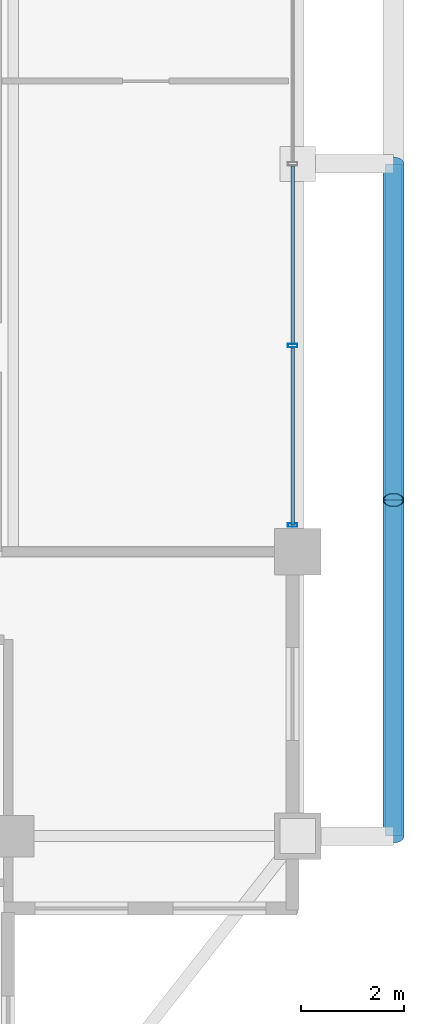
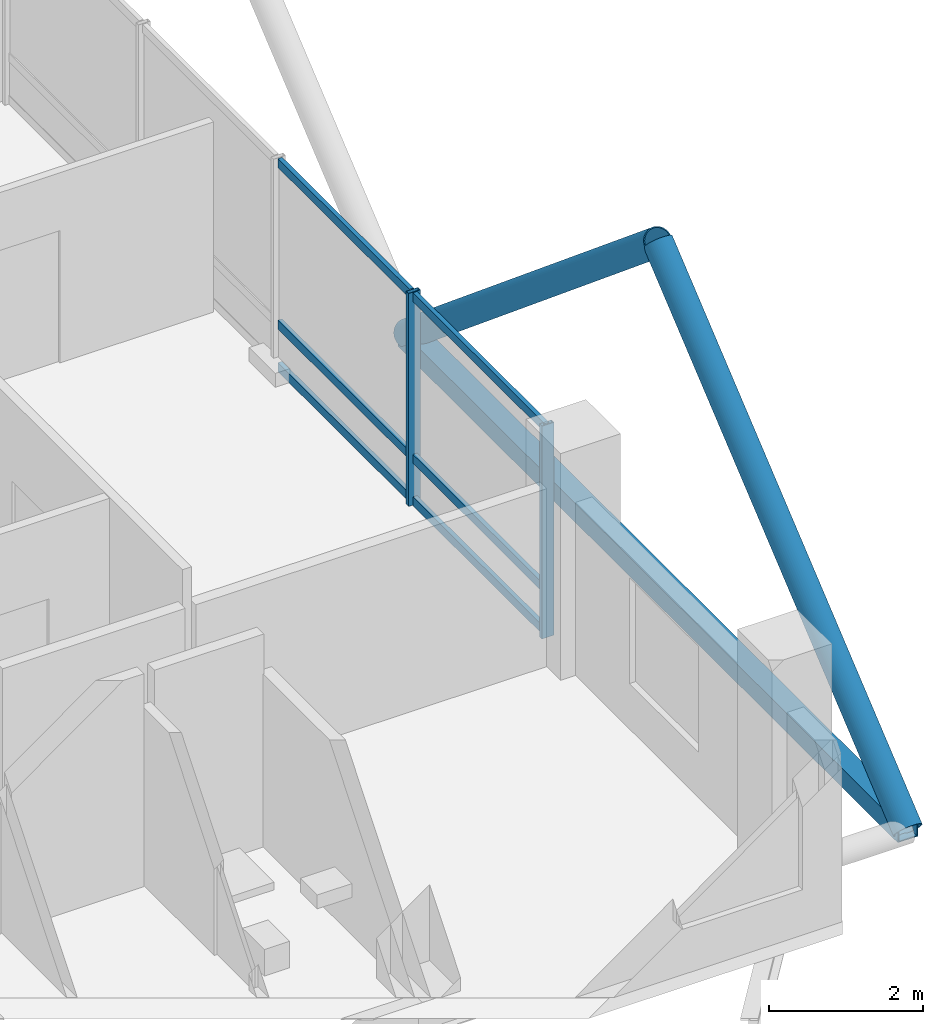
# One storey, part 12 of 24: 11 members, 1 element without a shape of its own.
"""IFC4 building model written with IfcOpenShell, lengths in metres."""

from ifc_helpers import new_model, si_unit, direction, frame, origin, origin_2d, place, context, subcontext, project, spatial, hollow_rectangle, hollow_circle, extrude, material, layer, layer_set, material_profile, profile_set, type_object, element, aggregate, save


model = new_model("IFC4")

# Units and contexts
model_context = context("Model", 3, precision=1e-05, world=origin(), true_north=direction((0.0, 1.0)))
body_context = subcontext(model_context, "Body", "Model", "MODEL_VIEW")
ifc_project = project(units=[si_unit("LENGTHUNIT", "METRE"), si_unit("AREAUNIT", "SQUARE_METRE"), si_unit("VOLUMEUNIT", "CUBIC_METRE"), si_unit("PLANEANGLEUNIT", "RADIAN"), si_unit("MASSUNIT", "GRAM", prefix="KILO")], contexts=[model_context])

# Site, building, storey
site_placement = place(None, origin())
site = spatial("IfcSite", under=ifc_project, at=site_placement, CompositionType="ELEMENT")
building_placement = place(site_placement, origin())
building = spatial("IfcBuilding", under=site, at=building_placement, Name="Barlavira Tower and Art Museum", CompositionType="ELEMENT")
storey_placement = place(building_placement, frame((0.0, 0.0, 240.300048828125)))
storey = spatial("IfcBuildingStorey", under=building, at=storey_placement, Name="L62", CompositionType="ELEMENT", Elevation=240.300048828125)

# Curtain wall, members
ifc_material_1 = material(Name="Low-iron coastal laminated glass", Category="glass")
ifc_layer = layer(ifc_material_1, 0.2099609375, Name="Low-iron coastal laminated glass")
ifc_layer_set = layer_set([ifc_layer], Name="Low-iron coastal laminated glass")
curtain_wall_type = type_object("IfcCurtainWallType", Name="Pale-Metal Unitised Curtain Wall Zone 4", PredefinedType="NOTDEFINED", material=ifc_layer_set)
curtain_wall_placement = place(storey_placement, origin())
curtain_wall = element("IfcCurtainWall", 1, at=curtain_wall_placement, inside=storey, type_object=curtain_wall_type, Name="L62 Curtain Wall CW4-L62-E-B3", PredefinedType="NOTDEFINED")
ifc_material_2 = material(Name="Pale anodised aluminium", Category="aluminium")
ifc_material_profile_1 = material_profile(ifc_material_2, hollow_rectangle(XDim=0.06494140625, YDim=0.179931640625, WallThickness=0.00390625, at=origin_2d()), Name="ALU-MULL 65x180x4")
ifc_profile_set_1 = profile_set([ifc_material_profile_1], Name="Pale anodised aluminium")
member_type_1 = type_object("IfcMemberType", Name="Curtain Wall Pale-Metal Mullion 65x180", PredefinedType="MULLION", material=ifc_profile_set_1)
member_1_placement = place(storey_placement, frame((16.89990234375, -6.985107421875, 0.0), z_axis=(0.0, 0.0, 1.0), x_axis=(0.0, 1.0, 0.0)))
member_1 = element("IfcMember", 2, at=member_1_placement, type_object=member_type_1, Name="CW4-L62-E-B3 Mullion 0", PredefinedType="MULLION", context=body_context, shape_type="SweptSolid", body=[
    extrude(hollow_rectangle(XDim=0.06494140625, YDim=0.179931640625, WallThickness=0.00390625, at=origin_2d()), origin(), (0.0, 0.0, 1.0), 3.3798828125),
])
member_2_placement = place(storey_placement, frame((16.89990234375, -3.514892578125, 0.0), z_axis=(0.0, 0.0, 1.0), x_axis=(0.0, 1.0, 0.0)))
member_2 = element("IfcMember", 3, at=member_2_placement, type_object=member_type_1, Name="CW4-L62-E-B3 Mullion 1", PredefinedType="MULLION", context=body_context, shape_type="SweptSolid", body=[
    extrude(hollow_rectangle(XDim=0.06494140625, YDim=0.179931640625, WallThickness=0.00390625, at=origin_2d()), origin(), (0.0, 0.0, 1.0), 3.3798828125),
])
ifc_material_profile_2 = material_profile(ifc_material_2, hollow_rectangle(XDim=0.06494140625, YDim=0.139892578125, WallThickness=0.00390625, at=origin_2d()), Name="ALU-TRAN 65x140x4")
ifc_profile_set_2 = profile_set([ifc_material_profile_2], Name="Pale anodised aluminium")
member_type_2 = type_object("IfcMemberType", Name="Curtain Wall Pale-Metal Transom 65x140", PredefinedType="USERDEFINED", material=ifc_profile_set_2)
member_3_placement = place(storey_placement, frame((16.89990234375, -6.985107421875, 0.070068359375), z_axis=(0.0, 1.0, 0.0), x_axis=(-1.0, 0.0, 0.0)))
member_3 = element("IfcMember", 4, at=member_3_placement, type_object=member_type_2, Name="CW4-L62-E-B3 Transom 0.1", ObjectType="TRANSOM", PredefinedType="USERDEFINED", context=body_context, shape_type="SweptSolid", body=[
    extrude(hollow_rectangle(XDim=0.06494140625, YDim=0.139892578125, WallThickness=0.00390625, at=origin_2d()), origin(), (0.0, 0.0, 1.0), 3.425048828125),
])
member_4_placement = place(storey_placement, frame((16.89990234375, -6.985107421875, 0.743896484375), z_axis=(0.0, 1.0, 0.0), x_axis=(-1.0, 0.0, 0.0)))
member_4 = element("IfcMember", 5, at=member_4_placement, type_object=member_type_2, Name="CW4-L62-E-B3 Transom 0.2", ObjectType="TRANSOM", PredefinedType="USERDEFINED", context=body_context, shape_type="SweptSolid", body=[
    extrude(hollow_rectangle(XDim=0.06494140625, YDim=0.139892578125, WallThickness=0.00390625, at=origin_2d()), origin(), (0.0, 0.0, 1.0), 3.425048828125),
])
member_5_placement = place(storey_placement, frame((16.89990234375, -6.985107421875, 3.31005859375), z_axis=(0.0, 1.0, 0.0), x_axis=(-1.0, 0.0, 0.0)))
member_5 = element("IfcMember", 6, at=member_5_placement, type_object=member_type_2, Name="CW4-L62-E-B3 Transom 0.3", ObjectType="TRANSOM", PredefinedType="USERDEFINED", context=body_context, shape_type="SweptSolid", body=[
    extrude(hollow_rectangle(XDim=0.06494140625, YDim=0.139892578125, WallThickness=0.00390625, at=origin_2d()), origin(), (0.0, 0.0, 1.0), 3.425048828125),
])
member_6_placement = place(storey_placement, frame((16.89990234375, -3.469970703125, 0.070068359375), z_axis=(0.0, 1.0, 0.0), x_axis=(-1.0, 0.0, 0.0)))
member_6 = element("IfcMember", 7, at=member_6_placement, type_object=member_type_2, Name="CW4-L62-E-B3 Transom 1.1", ObjectType="TRANSOM", PredefinedType="USERDEFINED", context=body_context, shape_type="SweptSolid", body=[
    extrude(hollow_rectangle(XDim=0.06494140625, YDim=0.139892578125, WallThickness=0.00390625, at=origin_2d()), origin(), (0.0, 0.0, 1.0), 3.425048828125),
])
member_7_placement = place(storey_placement, frame((16.89990234375, -3.469970703125, 0.743896484375), z_axis=(0.0, 1.0, 0.0), x_axis=(-1.0, 0.0, 0.0)))
member_7 = element("IfcMember", 8, at=member_7_placement, type_object=member_type_2, Name="CW4-L62-E-B3 Transom 1.2", ObjectType="TRANSOM", PredefinedType="USERDEFINED", context=body_context, shape_type="SweptSolid", body=[
    extrude(hollow_rectangle(XDim=0.06494140625, YDim=0.139892578125, WallThickness=0.00390625, at=origin_2d()), origin(), (0.0, 0.0, 1.0), 3.425048828125),
])
member_8_placement = place(storey_placement, frame((16.89990234375, -3.469970703125, 3.31005859375), z_axis=(0.0, 1.0, 0.0), x_axis=(-1.0, 0.0, 0.0)))
member_8 = element("IfcMember", 9, at=member_8_placement, type_object=member_type_2, Name="CW4-L62-E-B3 Transom 1.3", ObjectType="TRANSOM", PredefinedType="USERDEFINED", context=body_context, shape_type="SweptSolid", body=[
    extrude(hollow_rectangle(XDim=0.06494140625, YDim=0.139892578125, WallThickness=0.00390625, at=origin_2d()), origin(), (0.0, 0.0, 1.0), 3.425048828125),
])
aggregate(curtain_wall, [member_1, member_2, member_3, member_4, member_5, member_6, member_7, member_8])

# Members
ifc_material_3 = material(Name="Steel S355", Category="steel")
ifc_material_profile_3 = material_profile(ifc_material_3, hollow_circle(Radius=0.203125, WallThickness=0.01611328125, at=origin_2d()), Name="CHS 406.4x16.0")
ifc_profile_set_3 = profile_set([ifc_material_profile_3], Name="Steel S355")
member_type_3 = type_object("IfcMemberType", Name="Pale-Metal Exoskeleton Diagrid Tube CHS 406x16 Steel S355", PredefinedType="BRACE", material=ifc_profile_set_3)
for number, where, z_axis, x_axis, name in (
    (10, (18.85009765625, -13.0, -0.1201171875), (0.0, 0.76918185268, 0.639029950399), (-1.0, 0.0, 0.0), "L62 Exoskeleton Diagrid Tube E"),
    (11, (18.85009765625, 0.0, -0.1201171875), (0.0, -0.76918185268, 0.639029950399), (1.0, 0.0, 0.0), "L62 Exoskeleton Diagrid Tube E"),
):
    element("IfcMember", number, at=place(storey_placement, frame(where, z_axis=z_axis, x_axis=x_axis)), inside=storey, type_object=member_type_3, Name=name, PredefinedType="BRACE", context=body_context, shape_type="SweptSolid", body=[
        extrude(hollow_circle(Radius=0.203125, WallThickness=0.01611328125, at=origin_2d()), origin(), (0.0, 0.0, 1.0), 8.450439453125),
    ])
ifc_material_profile_4 = material_profile(ifc_material_3, hollow_rectangle(XDim=0.300048828125, YDim=0.300048828125, WallThickness=0.01611328125, at=origin_2d()), Name="SHS 300x300x16.0")
ifc_profile_set_4 = profile_set([ifc_material_profile_4], Name="Steel S355")
member_type_4 = type_object("IfcMemberType", Name="Pale-Metal Upper Ring Strut SHS 300x300x16 Steel S355", PredefinedType="STRUT", material=ifc_profile_set_4)
member_9_placement = place(storey_placement, frame((18.85009765625, -13.0, -0.1201171875), z_axis=(0.0, 1.0, 0.0), x_axis=(-1.0, 0.0, 0.0)))
element("IfcMember", 12, at=member_9_placement, inside=storey, type_object=member_type_4, Name="L62 Exoskeleton Ring Strut E", PredefinedType="STRUT", context=body_context, shape_type="SweptSolid", body=[
    extrude(hollow_rectangle(XDim=0.300048828125, YDim=0.300048828125, WallThickness=0.01611328125, at=origin_2d()), origin(), (0.0, 0.0, 1.0), 13.0),
])

save(model, "model.ifc")
